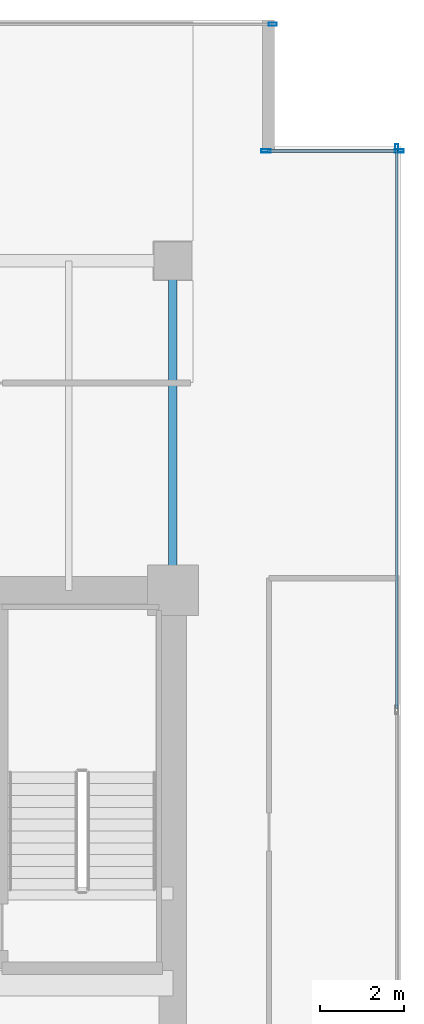
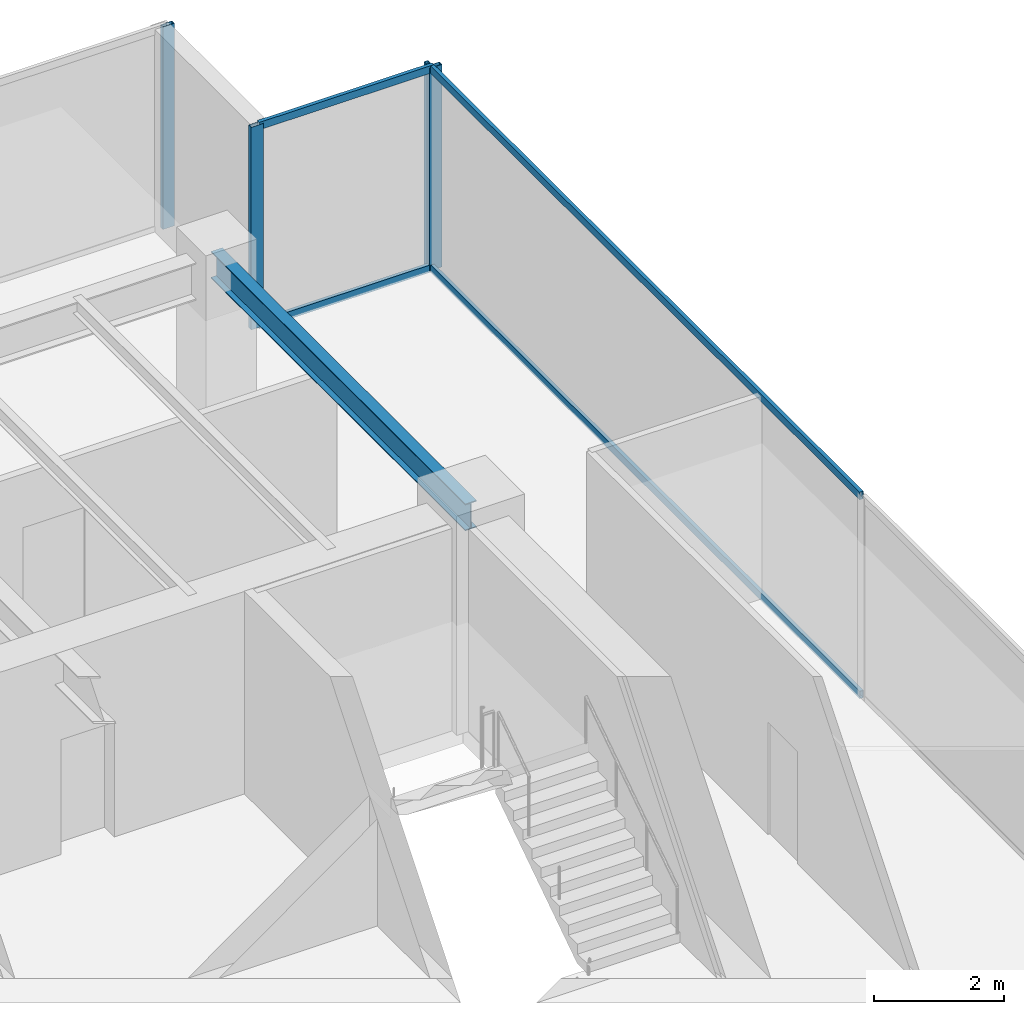
# One storey, part 23 of 34: 8 members, 1 beam, 3 elements without a shape of their own.
"""IFC4 building model written with IfcOpenShell, lengths in metres."""

from ifc_helpers import new_model, si_unit, direction, frame, origin, origin_2d, place, context, subcontext, project, spatial, hollow_rectangle, i_section, extrude, source, transform, mapped, material, layer, layer_set, material_profile, profile_set, type_object, type_shapes, element, aggregate, save


model = new_model("IFC4")

# Units and contexts
model_context = context("Model", 3, precision=1e-05, world=origin(), true_north=direction((0.0, 1.0)))
body_context = subcontext(model_context, "Body", "Model", "MODEL_VIEW")
ifc_project = project(units=[si_unit("LENGTHUNIT", "METRE"), si_unit("AREAUNIT", "SQUARE_METRE"), si_unit("VOLUMEUNIT", "CUBIC_METRE"), si_unit("PLANEANGLEUNIT", "RADIAN"), si_unit("MASSUNIT", "GRAM", prefix="KILO")], contexts=[model_context])

# Site, building, storey
site_placement = place(None, origin())
site = spatial("IfcSite", under=ifc_project, at=site_placement, CompositionType="ELEMENT")
building_placement = place(site_placement, origin())
building = spatial("IfcBuilding", under=site, at=building_placement, Name="Haelvirn Gate Laboratories", CompositionType="ELEMENT")
storey_placement = place(building_placement, frame((0.0, 0.0, 178.89990234375)))
storey = spatial("IfcBuildingStorey", under=building, at=storey_placement, Name="L43", CompositionType="ELEMENT", Elevation=178.89990234375)

# Beam
ifc_material_1 = material(Name="Steel SM355", Category="steel")
ifc_material_profile_1 = material_profile(ifc_material_1, i_section(OverallWidth=0.199951171875, OverallDepth=0.5, WebThickness=0.010009765625, FlangeThickness=0.01611328125, at=origin_2d()), Name="H-500x200x10x16")
ifc_profile_set_1 = profile_set([ifc_material_profile_1], Name="Steel SM355")
beam_type = type_object("IfcBeamType", Name="BM-SP-500", PredefinedType="SPANDREL", material=ifc_profile_set_1)
shared_shape_1 = source(origin(), body_context, "Body", "SweptSolid", [
    extrude(i_section(OverallWidth=0.199951171875, OverallDepth=0.5, WebThickness=0.010009765625, FlangeThickness=0.01611328125, at=origin_2d()), origin(), (0.0, 0.0, 1.0), 7.800048828125),
])
type_shapes(beam_type, [shared_shape_1])
beam_placement = place(storey_placement, frame((67.39990234375, 33.800048828125, 3.5400390625), z_axis=(0.0, 1.0, 0.0), x_axis=(-1.0, 0.0, 0.0)))
element("IfcBeam", 1, at=beam_placement, inside=storey, type_object=beam_type, Name="L43 Perimeter Spandrel X67.4 (33.8-41.6)", PredefinedType="SPANDREL", context=body_context, shape_type="MappedRepresentation", body=[
    mapped(shared_shape_1, transform((0.0, 0.0, 0.0), scale=1.0)),
])

# Curtain wall, members
ifc_material_2 = material(Name="Anodised bronze unitised aluminium & triple low-E glass", Category="aluminium")
ifc_layer_1 = layer(ifc_material_2, 0.181884765625, Name="CW-SYS-5")
ifc_layer_set_1 = layer_set([ifc_layer_1], Name="Anodised bronze unitised aluminium & triple low-E glass")
curtain_wall_type_1 = type_object("IfcCurtainWallType", Name="CW-SYS-5", PredefinedType="NOTDEFINED", material=ifc_layer_set_1)
curtain_wall_1_placement = place(storey_placement, origin())
curtain_wall_1 = element("IfcCurtainWall", 2, at=curtain_wall_1_placement, inside=storey, type_object=curtain_wall_type_1, Name="L43 Unitised Curtain Wall CW-L43-P0-E08-1", PredefinedType="NOTDEFINED")
ifc_material_3 = material(Name="Extruded aluminium 6063-T6 (anodised bronze)", Category="aluminium")
ifc_material_profile_2 = material_profile(ifc_material_3, hollow_rectangle(XDim=0.06494140625, YDim=0.139892578125, WallThickness=0.00390625, at=origin_2d()), Name="CWT-140x65x4")
ifc_profile_set_2 = profile_set([ifc_material_profile_2], Name="Extruded aluminium 6063-T6 (anodised bronze)")
member_type_1 = type_object("IfcMemberType", Name="CWT-T140", PredefinedType="USERDEFINED", material=ifc_profile_set_2)
shared_shape_2 = source(origin(), body_context, "Body", "SweptSolid", [
    extrude(hollow_rectangle(XDim=0.06494140625, YDim=0.139892578125, WallThickness=0.00390625, at=origin_2d()), origin(), (0.0, 0.0, 1.0), 3.080078125),
])
member_1_placement = place(storey_placement, frame((69.639892578125, 44.199951171875, 0.03271484375), z_axis=(1.0, 0.0, 0.0), x_axis=(0.0, 1.0, 0.0)))
member_1 = element("IfcMember", 3, at=member_1_placement, type_object=member_type_1, Name="CW5 transom 1.1", ObjectType="TRANSOM", PredefinedType="USERDEFINED", context=body_context, shape_type="MappedRepresentation", body=[
    mapped(shared_shape_2, transform((0.0, 0.0, 0.0), scale=1.0)),
])
member_2_placement = place(storey_placement, frame((69.639892578125, 44.199951171875, 3.757568359375), z_axis=(1.0, 0.0, 0.0), x_axis=(0.0, 1.0, 0.0)))
member_2 = element("IfcMember", 4, at=member_2_placement, type_object=member_type_1, Name="CW5 transom 1.2", ObjectType="TRANSOM", PredefinedType="USERDEFINED", context=body_context, shape_type="MappedRepresentation", body=[
    mapped(shared_shape_2, transform((0.0, 0.0, 0.0), scale=1.0)),
])

ifc_layer_2 = layer(ifc_material_2, 0.179931640625, Name="CW-SYS-3")
ifc_layer_set_2 = layer_set([ifc_layer_2], Name="Anodised bronze unitised aluminium & triple low-E glass")
curtain_wall_type_2 = type_object("IfcCurtainWallType", Name="CW-SYS-3", PredefinedType="NOTDEFINED", material=ifc_layer_set_2)
curtain_wall_2_placement = place(storey_placement, origin())
curtain_wall_2 = element("IfcCurtainWall", 5, at=curtain_wall_2_placement, inside=storey, type_object=curtain_wall_type_2, Name="L43 Unitised Curtain Wall CW-L43-P0-E07", PredefinedType="NOTDEFINED")
shared_shape_3 = source(origin(), body_context, "Body", "SweptSolid", [
    extrude(hollow_rectangle(XDim=0.06494140625, YDim=0.139892578125, WallThickness=0.00390625, at=origin_2d()), origin(), (0.0, 0.0, 1.0), 13.220947265625),
])
type_shapes(member_type_1, [shared_shape_2, shared_shape_3])
member_3_placement = place(storey_placement, frame((72.699951171875, 31.004150390625, 0.03271484375), z_axis=(0.0, 1.0, 0.0), x_axis=(-1.0, 0.0, 0.0)))
member_3 = element("IfcMember", 6, at=member_3_placement, type_object=member_type_1, Name="CW3 transom 3.1", ObjectType="TRANSOM", PredefinedType="USERDEFINED", context=body_context, shape_type="MappedRepresentation", body=[
    mapped(shared_shape_3, transform((0.0, 0.0, 0.0), scale=1.0)),
])
member_4_placement = place(storey_placement, frame((72.699951171875, 31.004150390625, 3.757568359375), z_axis=(0.0, 1.0, 0.0), x_axis=(-1.0, 0.0, 0.0)))
member_4 = element("IfcMember", 7, at=member_4_placement, type_object=member_type_1, Name="CW3 transom 3.2", ObjectType="TRANSOM", PredefinedType="USERDEFINED", context=body_context, shape_type="MappedRepresentation", body=[
    mapped(shared_shape_3, transform((0.0, 0.0, 0.0), scale=1.0)),
])
ifc_material_profile_3 = material_profile(ifc_material_3, hollow_rectangle(XDim=0.074951171875, YDim=0.199951171875, WallThickness=0.0048828125, at=origin_2d()), Name="CWM-200x75x5")
ifc_profile_set_3 = profile_set([ifc_material_profile_3], Name="Extruded aluminium 6063-T6 (anodised bronze)")
member_type_2 = type_object("IfcMemberType", Name="CWM-T200", PredefinedType="MULLION", material=ifc_profile_set_3)
shared_shape_4 = source(origin(), body_context, "Body", "SweptSolid", [
    extrude(hollow_rectangle(XDim=0.074951171875, YDim=0.199951171875, WallThickness=0.0048828125, at=origin_2d()), origin(), (0.0, 0.0, 1.0), 3.7900390625),
])
type_shapes(member_type_2, [shared_shape_4])
member_5_placement = place(storey_placement, frame((72.699951171875, 44.262451171875, 0.0), z_axis=(0.0, 0.0, 1.0), x_axis=(-1.0, 0.0, 0.0)))
member_5 = element("IfcMember", 8, at=member_5_placement, type_object=member_type_2, Name="CW3 mullion 4", PredefinedType="MULLION", context=body_context, shape_type="MappedRepresentation", body=[
    mapped(shared_shape_4, transform((0.0, 0.0, 0.0), scale=1.0)),
])
aggregate(curtain_wall_2, [member_5, member_3, member_4])

# Curtain wall, member
curtain_wall_3_placement = place(storey_placement, origin())
curtain_wall_3 = element("IfcCurtainWall", 9, at=curtain_wall_3_placement, inside=storey, type_object=curtain_wall_type_2, Name="L43 Unitised Curtain Wall CW-L43-P0-E10-1", PredefinedType="NOTDEFINED")
member_6_placement = place(storey_placement, frame((69.762451171875, 47.199951171875, 0.0), z_axis=(0.0, 0.0, 1.0), x_axis=(0.0, 1.0, 0.0)))
member_6 = element("IfcMember", 10, at=member_6_placement, type_object=member_type_2, Name="CW3 mullion 3", PredefinedType="MULLION", context=body_context, shape_type="MappedRepresentation", body=[
    mapped(shared_shape_4, transform((0.0, 0.0, 0.0), scale=1.0)),
])
aggregate(curtain_wall_3, [member_6])

# Member
ifc_material_profile_4 = material_profile(ifc_material_3, hollow_rectangle(XDim=0.080078125, YDim=0.219970703125, WallThickness=0.006103515625, at=origin_2d()), Name="CWM-220x80x6")
ifc_profile_set_4 = profile_set([ifc_material_profile_4], Name="Extruded aluminium 6063-T6 (anodised bronze)")
member_type_3 = type_object("IfcMemberType", Name="CWM-T220", PredefinedType="MULLION", material=ifc_profile_set_4)
shared_shape_5 = source(origin(), body_context, "Body", "SweptSolid", [
    extrude(hollow_rectangle(XDim=0.080078125, YDim=0.219970703125, WallThickness=0.006103515625, at=origin_2d()), origin(), (0.0, 0.0, 1.0), 3.7900390625),
])
type_shapes(member_type_3, [shared_shape_5])
member_7_placement = place(storey_placement, frame((69.60009765625, 44.199951171875, 0.0), z_axis=(0.0, 0.0, 1.0), x_axis=(0.0, 1.0, 0.0)))
member_7 = element("IfcMember", 11, at=member_7_placement, type_object=member_type_3, Name="CW5 mullion 1", PredefinedType="MULLION", context=body_context, shape_type="MappedRepresentation", body=[
    mapped(shared_shape_5, transform((0.0, 0.0, 0.0), scale=1.0)),
])

member_8_placement = place(storey_placement, frame((72.760009765625, 44.199951171875, 0.0), z_axis=(0.0, 0.0, 1.0), x_axis=(0.0, 1.0, 0.0)))
member_8 = element("IfcMember", 12, at=member_8_placement, type_object=member_type_3, Name="CW5 mullion 2", PredefinedType="MULLION", context=body_context, shape_type="MappedRepresentation", body=[
    mapped(shared_shape_5, transform((0.0, 0.0, 0.0), scale=1.0)),
])

aggregate(curtain_wall_1, [member_7, member_8, member_1, member_2])

save(model, "model.ifc")
